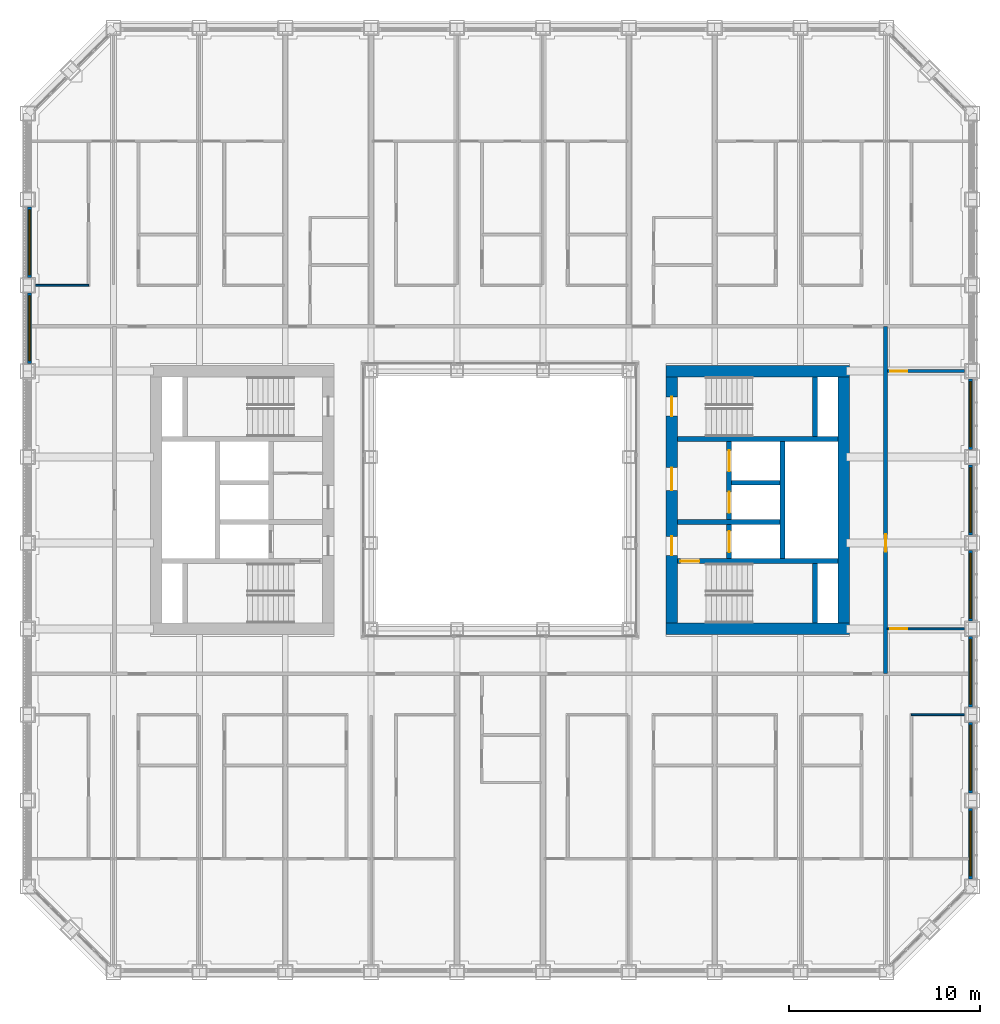
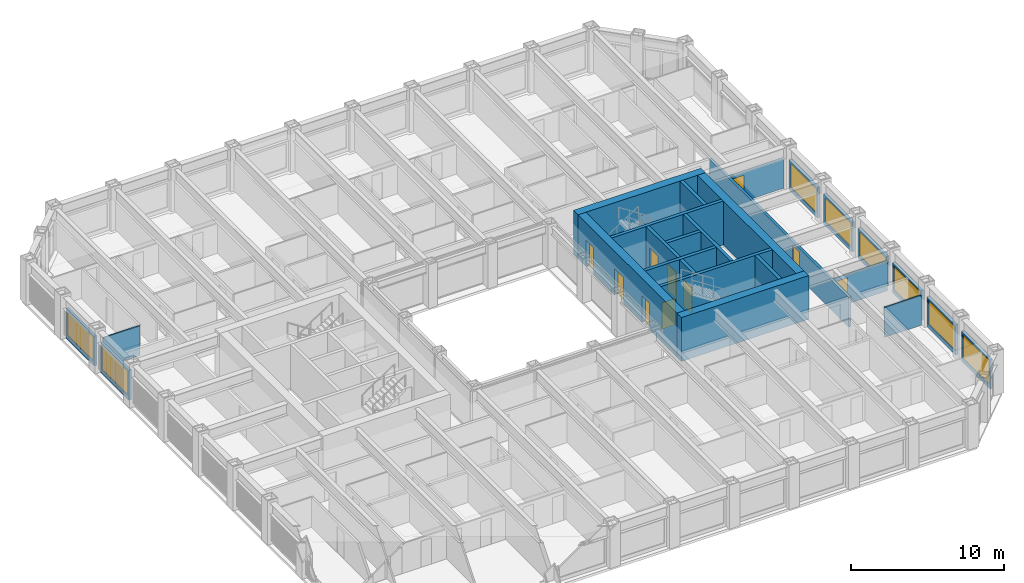
# One storey, part 12 of 20: 25 walls, 10 doors, 8 windows, 18 openings.
"""IFC4 building model written with IfcOpenShell, lengths in metres."""

from ifc_helpers import new_model, si_unit, direction, frame, frame_2d, origin, place, context, subcontext, project, spatial, rectangle, extrude, material, layer, layer_set, type_object, element, fill, save


model = new_model("IFC4")

# Units and contexts
model_context = context("Model", 3, precision=1e-05, world=origin(), true_north=direction((0.0, 1.0)))
body_context = subcontext(model_context, "Body", "Model", "MODEL_VIEW")
ifc_project = project(units=[si_unit("LENGTHUNIT", "METRE"), si_unit("AREAUNIT", "SQUARE_METRE"), si_unit("VOLUMEUNIT", "CUBIC_METRE"), si_unit("PLANEANGLEUNIT", "RADIAN"), si_unit("MASSUNIT", "GRAM", prefix="KILO")], contexts=[model_context])

# Site, building, storey
site_placement = place(None, origin())
site = spatial("IfcSite", under=ifc_project, at=site_placement, CompositionType="ELEMENT")
building_placement = place(site_placement, origin())
building = spatial("IfcBuilding", under=site, at=building_placement, Name="Msasa Ring Tower", CompositionType="ELEMENT")
storey_placement = place(building_placement, frame((0.0, 0.0, 58.0)))
storey = spatial("IfcBuildingStorey", under=building, at=storey_placement, Name="L14", CompositionType="ELEMENT", Elevation=58.0)

# Walls
ifc_material_1 = material(Name="Concrete C60/75", Category="concrete")
ifc_layer_1 = layer(ifc_material_1, 0.60009765625)
ifc_layer_set_1 = layer_set([ifc_layer_1], Name="CW1 CORE WALL 600")
wall_type_1 = type_object("IfcWallType", Name="CW1 CORE WALL 600", PredefinedType="SHEAR", material=ifc_layer_set_1)
for number, where, z_axis, x_axis, name in (
    (1, (8.699951171875, -6.75, 0.0), (0.0, 0.0, 1.0), (1.0, 0.0, 0.0), "E core wall S L14"),
    (2, (8.699951171875, 6.75, 0.0), (0.0, 0.0, 1.0), (1.0, 0.0, 0.0), "E core wall N L14"),
):
    element("IfcWall", number, at=place(storey_placement, frame(where, z_axis=z_axis, x_axis=x_axis)), inside=storey, type_object=wall_type_1, Name=name, PredefinedType="SHEAR", context=body_context, shape_type="SweptSolid", body=[
        extrude(rectangle(XDim=9.60009765625, YDim=0.60009765625, at=frame_2d((4.800048828125, 0.0))), origin(), (0.0, 0.0, 1.0), 3.5),
    ])

# Wall, openings, doors
wall_1_placement = place(storey_placement, frame((9.0, -6.449951171875, 0.0), z_axis=(0.0, 0.0, 1.0), x_axis=(0.0, 1.0, 0.0)))
wall_1 = element("IfcWall", 3, at=wall_1_placement, inside=storey, type_object=wall_type_1, Name="E core wall W L14", PredefinedType="SHEAR", context=body_context, shape_type="SweptSolid", body=[
    extrude(rectangle(XDim=12.89990234375, YDim=0.60009765625, at=frame_2d((6.449951171875, 0.0))), origin(), (0.0, 0.0, 1.0), 3.5),
])
opening_1_placement = place(wall_1_placement, frame((3.550048828125, 0.0, 0.0)))
opening_1 = element("IfcOpeningElement", 4, at=opening_1_placement, cuts=wall_1, Name="Opening RD-043", PredefinedType="OPENING", context=body_context, shape_type="SweptSolid", body=[
    extrude(rectangle(XDim=1.0, YDim=2.10009765625, at=frame_2d((0.5, 1.050048828125))), frame((0.0, 0.31005859375, 0.0), z_axis=(0.0, -1.0, 0.0), x_axis=(1.0, 0.0, 0.0)), (0.0, 0.0, 1.0), 0.6201171875),
])
opening_2_placement = place(wall_1_placement, frame((6.949951171875, 0.0, 0.0)))
opening_2 = element("IfcOpeningElement", 5, at=opening_2_placement, cuts=wall_1, Name="Opening RD-038", PredefinedType="OPENING", context=body_context, shape_type="SweptSolid", body=[
    extrude(rectangle(XDim=1.199951171875, YDim=2.10009765625, at=frame_2d((0.60009765625, 1.050048828125))), frame((0.0, 0.31005859375, 0.0), z_axis=(0.0, -1.0, 0.0), x_axis=(1.0, 0.0, 0.0)), (0.0, 0.0, 1.0), 0.6201171875),
])
opening_3_placement = place(wall_1_placement, frame((10.85009765625, 0.0, 0.0)))
opening_3 = element("IfcOpeningElement", 6, at=opening_3_placement, cuts=wall_1, Name="Opening RD-036", PredefinedType="OPENING", context=body_context, shape_type="SweptSolid", body=[
    extrude(rectangle(XDim=1.0, YDim=2.10009765625, at=frame_2d((0.5, 1.050048828125))), frame((0.0, 0.31005859375, 0.0), z_axis=(0.0, -1.0, 0.0), x_axis=(1.0, 0.0, 0.0)), (0.0, 0.0, 1.0), 0.6201171875),
])
ifc_material_2 = material(Name="Timber door leaf in a steel frame", Category="steel")
door_type_1 = type_object("IfcDoorType", Name="D4 LOBBY DOOR 1000x2100", OperationType="SINGLE_SWING_LEFT", PredefinedType="DOOR", material=ifc_material_2)
door_1_placement = place(opening_1_placement, origin())
door_1 = element("IfcDoor", 7, at=door_1_placement, inside=storey, type_object=door_type_1, Name="Door L14-EFFL", OperationType="SINGLE_SWING_LEFT", OverallHeight=2.10009765625, OverallWidth=1.0, PredefinedType="DOOR", context=body_context, shape_type="SweptSolid", body=[
    extrude(rectangle(XDim=1.0, YDim=2.10009765625, at=frame_2d((0.5, 1.050048828125))), frame((0.0, 0.02490234375, 0.0), z_axis=(0.0, -1.0, 0.0), x_axis=(1.0, 0.0, 0.0)), (0.0, 0.0, 1.0), 0.050048828125),
])
fill(opening_1, door_1)
ifc_material_3 = material(Name="Timber door leaf in a steel frame", Category="steel")
door_type_2 = type_object("IfcDoorType", Name="D5 WIDE LOBBY DOOR 1200x2100", OperationType="SINGLE_SWING_LEFT", PredefinedType="DOOR", material=ifc_material_3)
door_2_placement = place(opening_2_placement, origin())
door_2 = element("IfcDoor", 8, at=door_2_placement, inside=storey, type_object=door_type_2, Name="Door L14-ELL", OperationType="SINGLE_SWING_RIGHT", OverallHeight=2.10009765625, OverallWidth=1.199951171875, PredefinedType="DOOR", context=body_context, shape_type="SweptSolid", body=[
    extrude(rectangle(XDim=1.199951171875, YDim=2.10009765625, at=frame_2d((0.60009765625, 1.050048828125))), frame((0.0, 0.02490234375, 0.0), z_axis=(0.0, -1.0, 0.0), x_axis=(1.0, 0.0, 0.0)), (0.0, 0.0, 1.0), 0.050048828125),
])
fill(opening_2, door_2)
ifc_material_4 = material(Name="Timber door leaf in a steel frame", Category="steel")
door_type_3 = type_object("IfcDoorType", Name="D6 STAIR DOOR 1000x2100", OperationType="SINGLE_SWING_LEFT", PredefinedType="DOOR", material=ifc_material_4)
door_3_placement = place(opening_3_placement, origin())
door_3 = element("IfcDoor", 9, at=door_3_placement, inside=storey, type_object=door_type_3, Name="Door L14-ESTB", OperationType="SINGLE_SWING_RIGHT", OverallHeight=2.10009765625, OverallWidth=1.0, PredefinedType="DOOR", context=body_context, shape_type="SweptSolid", body=[
    extrude(rectangle(XDim=1.0, YDim=2.10009765625, at=frame_2d((0.5, 1.050048828125))), frame((0.0, 0.02490234375, 0.0), z_axis=(0.0, -1.0, 0.0), x_axis=(1.0, 0.0, 0.0)), (0.0, 0.0, 1.0), 0.050048828125),
])
fill(opening_3, door_3)

# Wall
wall_2_placement = place(storey_placement, frame((18.0, -6.449951171875, 0.0), z_axis=(0.0, 0.0, 1.0), x_axis=(0.0, 1.0, 0.0)))
element("IfcWall", 10, at=wall_2_placement, inside=storey, type_object=wall_type_1, Name="E core wall E L14", PredefinedType="SHEAR", context=body_context, shape_type="SweptSolid", body=[
    extrude(rectangle(XDim=12.89990234375, YDim=0.60009765625, at=frame_2d((6.449951171875, 0.0))), origin(), (0.0, 0.0, 1.0), 3.5),
])

# Wall, opening, door
ifc_material_5 = material(Name="Concrete C60/75", Category="concrete")
ifc_layer_2 = layer(ifc_material_5, 0.25)
ifc_layer_set_2 = layer_set([ifc_layer_2], Name="CW4 CORE INNER WALL 250")
wall_type_2 = type_object("IfcWallType", Name="CW4 CORE INNER WALL 250", PredefinedType="SHEAR", material=ifc_layer_set_2)
wall_3_placement = place(storey_placement, frame((9.300048828125, -3.199951171875, 0.0), z_axis=(0.0, 0.0, 1.0), x_axis=(1.0, 0.0, 0.0)))
wall_3 = element("IfcWall", 11, at=wall_3_placement, inside=storey, type_object=wall_type_2, Name="E core wall STAIRA L14", PredefinedType="SHEAR", context=body_context, shape_type="SweptSolid", body=[
    extrude(rectangle(XDim=8.39990234375, YDim=0.25, at=frame_2d((4.199951171875, 0.0))), origin(), (0.0, 0.0, 1.0), 3.5),
])
opening_4_placement = place(wall_3_placement, frame((0.14990234375, 0.0, 0.0)))
opening_4 = element("IfcOpeningElement", 12, at=opening_4_placement, cuts=wall_3, Name="Opening RD-045", PredefinedType="OPENING", context=body_context, shape_type="SweptSolid", body=[
    extrude(rectangle(XDim=1.0, YDim=2.10009765625, at=frame_2d((0.5, 1.050048828125))), frame((0.0, 0.135009765625, 0.0), z_axis=(0.0, -1.0, 0.0), x_axis=(1.0, 0.0, 0.0)), (0.0, 0.0, 1.0), 0.27001953125),
])
door_4_placement = place(opening_4_placement, origin())
door_4 = element("IfcDoor", 13, at=door_4_placement, inside=storey, type_object=door_type_3, Name="Door L14-ESTA", OperationType="SINGLE_SWING_LEFT", OverallHeight=2.10009765625, OverallWidth=1.0, PredefinedType="DOOR", context=body_context, shape_type="SweptSolid", body=[
    extrude(rectangle(XDim=1.0, YDim=2.10009765625, at=frame_2d((0.5, 1.050048828125))), frame((0.0, 0.02490234375, 0.0), z_axis=(0.0, -1.0, 0.0), x_axis=(1.0, 0.0, 0.0)), (0.0, 0.0, 1.0), 0.050048828125),
])
fill(opening_4, door_4)

# Walls
wall_4_placement = place(storey_placement, frame((9.300048828125, 3.199951171875, 0.0), z_axis=(0.0, 0.0, 1.0), x_axis=(1.0, 0.0, 0.0)))
element("IfcWall", 14, at=wall_4_placement, inside=storey, type_object=wall_type_2, Name="E core wall STAIRB L14", PredefinedType="SHEAR", context=body_context, shape_type="SweptSolid", body=[
    extrude(rectangle(XDim=8.39990234375, YDim=0.25, at=frame_2d((4.199951171875, 0.0))), origin(), (0.0, 0.0, 1.0), 3.5),
])
for number, where, z_axis, x_axis, name in (
    (15, (16.5, -6.449951171875, 0.0), (0.0, 0.0, 1.0), (0.0, 1.0, 0.0), "E core wall RISERA L14"),
    (16, (16.5, 3.324951171875, 0.0), (0.0, 0.0, 1.0), (0.0, 1.0, 0.0), "E core wall RISERB L14"),
):
    element("IfcWall", number, at=place(storey_placement, frame(where, z_axis=z_axis, x_axis=x_axis)), inside=storey, type_object=wall_type_2, Name=name, PredefinedType="SHEAR", context=body_context, shape_type="SweptSolid", body=[
        extrude(rectangle(XDim=3.125, YDim=0.25, at=frame_2d((1.5625, 0.0))), origin(), (0.0, 0.0, 1.0), 3.5),
    ])
wall_5_placement = place(storey_placement, frame((9.300048828125, -1.14990234375, 0.0), z_axis=(0.0, 0.0, 1.0), x_axis=(1.0, 0.0, 0.0)))
element("IfcWall", 17, at=wall_5_placement, inside=storey, type_object=wall_type_2, Name="E core wall FFL L14", PredefinedType="SHEAR", context=body_context, shape_type="SweptSolid", body=[
    extrude(rectangle(XDim=5.375, YDim=0.25, at=frame_2d((2.6875, 0.0))), origin(), (0.0, 0.0, 1.0), 3.5),
])

# Wall, openings, doors
wall_6_placement = place(storey_placement, frame((12.0, -3.074951171875, 0.0), z_axis=(0.0, 0.0, 1.0), x_axis=(0.0, 1.0, 0.0)))
wall_6 = element("IfcWall", 18, at=wall_6_placement, inside=storey, type_object=wall_type_2, Name="E core wall LOBBY L14", PredefinedType="SHEAR", context=body_context, shape_type="SweptSolid", body=[
    extrude(rectangle(XDim=6.14990234375, YDim=0.25, at=frame_2d((3.074951171875, 0.0))), origin(), (0.0, 0.0, 1.0), 3.5),
])
opening_5_placement = place(wall_6_placement, frame((0.35009765625, 0.0, 0.0)))
opening_5 = element("IfcOpeningElement", 19, at=opening_5_placement, cuts=wall_6, Name="Opening LD1", PredefinedType="OPENING", context=body_context, shape_type="SweptSolid", body=[
    extrude(rectangle(XDim=1.10009765625, YDim=2.10009765625, at=frame_2d((0.550048828125, 1.050048828125))), frame((0.0, 0.135009765625, 0.0), z_axis=(0.0, -1.0, 0.0), x_axis=(1.0, 0.0, 0.0)), (0.0, 0.0, 1.0), 0.27001953125),
])
opening_6_placement = place(wall_6_placement, frame((2.39990234375, 0.0, 0.0)))
opening_6 = element("IfcOpeningElement", 20, at=opening_6_placement, cuts=wall_6, Name="Opening LD1", PredefinedType="OPENING", context=body_context, shape_type="SweptSolid", body=[
    extrude(rectangle(XDim=1.10009765625, YDim=2.10009765625, at=frame_2d((0.550048828125, 1.050048828125))), frame((0.0, 0.135009765625, 0.0), z_axis=(0.0, -1.0, 0.0), x_axis=(1.0, 0.0, 0.0)), (0.0, 0.0, 1.0), 0.27001953125),
])
opening_7_placement = place(wall_6_placement, frame((4.574951171875, 0.0, 0.0)))
opening_7 = element("IfcOpeningElement", 21, at=opening_7_placement, cuts=wall_6, Name="Opening LD1", PredefinedType="OPENING", context=body_context, shape_type="SweptSolid", body=[
    extrude(rectangle(XDim=1.10009765625, YDim=2.10009765625, at=frame_2d((0.550048828125, 1.050048828125))), frame((0.0, 0.135009765625, 0.0), z_axis=(0.0, -1.0, 0.0), x_axis=(1.0, 0.0, 0.0)), (0.0, 0.0, 1.0), 0.27001953125),
])
ifc_material_6 = material(Name="Stainless steel lift landing door", Category="steel")
door_type_4 = type_object("IfcDoorType", Name="LD1 LIFT LANDING DOOR 1100x2100", OperationType="DOUBLE_DOOR_SLIDING", PredefinedType="DOOR", material=ifc_material_6)
door_5_placement = place(opening_5_placement, origin())
door_5 = element("IfcDoor", 22, at=door_5_placement, inside=storey, type_object=door_type_4, Name="Lift landing door FL-E L14", OperationType="DOUBLE_DOOR_SLIDING", OverallHeight=2.10009765625, OverallWidth=1.10009765625, PredefinedType="DOOR", context=body_context, shape_type="SweptSolid", body=[
    extrude(rectangle(XDim=1.10009765625, YDim=2.10009765625, at=frame_2d((0.550048828125, 1.050048828125))), frame((0.0, 0.02490234375, 0.0), z_axis=(0.0, -1.0, 0.0), x_axis=(1.0, 0.0, 0.0)), (0.0, 0.0, 1.0), 0.050048828125),
])
fill(opening_5, door_5)
door_6_placement = place(opening_6_placement, origin())
door_6 = element("IfcDoor", 23, at=door_6_placement, inside=storey, type_object=door_type_4, Name="Lift landing door PL-R1 L14", OperationType="DOUBLE_DOOR_SLIDING", OverallHeight=2.10009765625, OverallWidth=1.10009765625, PredefinedType="DOOR", context=body_context, shape_type="SweptSolid", body=[
    extrude(rectangle(XDim=1.10009765625, YDim=2.10009765625, at=frame_2d((0.550048828125, 1.050048828125))), frame((0.0, 0.02490234375, 0.0), z_axis=(0.0, -1.0, 0.0), x_axis=(1.0, 0.0, 0.0)), (0.0, 0.0, 1.0), 0.050048828125),
])
fill(opening_6, door_6)
door_7_placement = place(opening_7_placement, origin())
door_7 = element("IfcDoor", 24, at=door_7_placement, inside=storey, type_object=door_type_4, Name="Lift landing door PL-R2 L14", OperationType="DOUBLE_DOOR_SLIDING", OverallHeight=2.10009765625, OverallWidth=1.10009765625, PredefinedType="DOOR", context=body_context, shape_type="SweptSolid", body=[
    extrude(rectangle(XDim=1.10009765625, YDim=2.10009765625, at=frame_2d((0.550048828125, 1.050048828125))), frame((0.0, 0.02490234375, 0.0), z_axis=(0.0, -1.0, 0.0), x_axis=(1.0, 0.0, 0.0)), (0.0, 0.0, 1.0), 0.050048828125),
])
fill(opening_7, door_7)

# Walls
wall_7_placement = place(storey_placement, frame((14.800048828125, -3.074951171875, 0.0), z_axis=(0.0, 0.0, 1.0), x_axis=(0.0, 1.0, 0.0)))
element("IfcWall", 25, at=wall_7_placement, inside=storey, type_object=wall_type_2, Name="E core wall SHAFT L14", PredefinedType="SHEAR", context=body_context, shape_type="SweptSolid", body=[
    extrude(rectangle(XDim=6.14990234375, YDim=0.25, at=frame_2d((3.074951171875, 0.0))), origin(), (0.0, 0.0, 1.0), 3.5),
])
wall_8_placement = place(storey_placement, frame((12.125, 0.89990234375, 0.0), z_axis=(0.0, 0.0, 1.0), x_axis=(1.0, 0.0, 0.0)))
element("IfcWall", 26, at=wall_8_placement, inside=storey, type_object=wall_type_2, Name="E core wall LIFT1 L14", PredefinedType="SHEAR", context=body_context, shape_type="SweptSolid", body=[
    extrude(rectangle(XDim=2.550048828125, YDim=0.25, at=frame_2d((1.27490234375, 0.0))), origin(), (0.0, 0.0, 1.0), 3.5),
])

# Wall, opening, window
ifc_material_7 = material(Name="Terracotta rainscreen on blockwork", Category="masonry")
ifc_layer_3 = layer(ifc_material_7, 0.199951171875)
ifc_layer_set_3 = layer_set([ifc_layer_3], Name="FW1 TERRACOTTA-LINED INFILL BAY WALL 200")
wall_type_3 = type_object("IfcWallType", Name="FW1 TERRACOTTA-LINED INFILL BAY WALL 200", PredefinedType="SOLIDWALL", material=ifc_layer_set_3)
wall_9_placement = place(storey_placement, frame((24.64990234375, -19.844970703125, 0.0), z_axis=(0.0, 0.0, 1.0), x_axis=(0.0, 1.0, 0.0)))
wall_9 = element("IfcWall", 27, at=wall_9_placement, inside=storey, type_object=wall_type_3, Name="Infill bay wall E L14 11", PredefinedType="SOLIDWALL", context=body_context, shape_type="SweptSolid", body=[
    extrude(rectangle(XDim=3.68994140625, YDim=0.199951171875, at=frame_2d((1.844970703125, 0.0))), origin(), (0.0, 0.0, 1.0), 2.37890625),
])
opening_8_placement = place(wall_9_placement, frame((0.14501953125, 0.0, 0.300048828125)))
opening_8 = element("IfcOpeningElement", 28, at=opening_8_placement, cuts=wall_9, Name="Opening WN1", PredefinedType="OPENING", context=body_context, shape_type="SweptSolid", body=[
    extrude(rectangle(XDim=3.39990234375, YDim=1.928955078125, at=frame_2d((1.699951171875, 0.96435546875))), frame((0.0, 0.10986328125, 0.0), z_axis=(0.0, -1.0, 0.0), x_axis=(1.0, 0.0, 0.0)), (0.0, 0.0, 1.0), 0.219970703125),
])
ifc_material_8 = material(Name="Aluminium frame with clear glass", Category="aluminium")
window_type = type_object("IfcWindowType", Name="WN1 RESIDENCE WINDOW 3400x1929", PartitioningType="SINGLE_PANEL", PredefinedType="WINDOW", material=ifc_material_8)
window_1_placement = place(opening_8_placement, origin())
window_1 = element("IfcWindow", 29, at=window_1_placement, inside=storey, type_object=window_type, Name="Window E L14 11", OverallHeight=1.928955078125, OverallWidth=3.39990234375, PartitioningType="SINGLE_PANEL", PredefinedType="WINDOW", context=body_context, shape_type="SweptSolid", body=[
    extrude(rectangle(XDim=3.39990234375, YDim=1.928955078125, at=frame_2d((1.699951171875, 0.96435546875))), frame((0.0, 0.030029296875, 0.0), z_axis=(0.0, -1.0, 0.0), x_axis=(1.0, 0.0, 0.0)), (0.0, 0.0, 1.0), 0.06005859375),
])
fill(opening_8, window_1)

wall_10_placement = place(storey_placement, frame((24.64990234375, -15.344970703125, 0.0), z_axis=(0.0, 0.0, 1.0), x_axis=(0.0, 1.0, 0.0)))
wall_10 = element("IfcWall", 30, at=wall_10_placement, inside=storey, type_object=wall_type_3, Name="Infill bay wall E L14 12", PredefinedType="SOLIDWALL", context=body_context, shape_type="SweptSolid", body=[
    extrude(rectangle(XDim=3.68994140625, YDim=0.199951171875, at=frame_2d((1.844970703125, 0.0))), origin(), (0.0, 0.0, 1.0), 2.37890625),
])
opening_9_placement = place(wall_10_placement, frame((0.14501953125, 0.0, 0.300048828125)))
opening_9 = element("IfcOpeningElement", 31, at=opening_9_placement, cuts=wall_10, Name="Opening WN1", PredefinedType="OPENING", context=body_context, shape_type="SweptSolid", body=[
    extrude(rectangle(XDim=3.39990234375, YDim=1.928955078125, at=frame_2d((1.699951171875, 0.96435546875))), frame((0.0, 0.10986328125, 0.0), z_axis=(0.0, -1.0, 0.0), x_axis=(1.0, 0.0, 0.0)), (0.0, 0.0, 1.0), 0.219970703125),
])
window_2_placement = place(opening_9_placement, origin())
window_2 = element("IfcWindow", 32, at=window_2_placement, inside=storey, type_object=window_type, Name="Window E L14 12", OverallHeight=1.928955078125, OverallWidth=3.39990234375, PartitioningType="SINGLE_PANEL", PredefinedType="WINDOW", context=body_context, shape_type="SweptSolid", body=[
    extrude(rectangle(XDim=3.39990234375, YDim=1.928955078125, at=frame_2d((1.699951171875, 0.96435546875))), frame((0.0, 0.030029296875, 0.0), z_axis=(0.0, -1.0, 0.0), x_axis=(1.0, 0.0, 0.0)), (0.0, 0.0, 1.0), 0.06005859375),
])
fill(opening_9, window_2)

wall_11_placement = place(storey_placement, frame((24.64990234375, -10.844970703125, 0.0), z_axis=(0.0, 0.0, 1.0), x_axis=(0.0, 1.0, 0.0)))
wall_11 = element("IfcWall", 33, at=wall_11_placement, inside=storey, type_object=wall_type_3, Name="Infill bay wall E L14 13", PredefinedType="SOLIDWALL", context=body_context, shape_type="SweptSolid", body=[
    extrude(rectangle(XDim=3.68994140625, YDim=0.199951171875, at=frame_2d((1.844970703125, 0.0))), origin(), (0.0, 0.0, 1.0), 2.37890625),
])
opening_10_placement = place(wall_11_placement, frame((0.14501953125, 0.0, 0.300048828125)))
opening_10 = element("IfcOpeningElement", 34, at=opening_10_placement, cuts=wall_11, Name="Opening WN1", PredefinedType="OPENING", context=body_context, shape_type="SweptSolid", body=[
    extrude(rectangle(XDim=3.39990234375, YDim=1.928955078125, at=frame_2d((1.699951171875, 0.96435546875))), frame((0.0, 0.10986328125, 0.0), z_axis=(0.0, -1.0, 0.0), x_axis=(1.0, 0.0, 0.0)), (0.0, 0.0, 1.0), 0.219970703125),
])
window_3_placement = place(opening_10_placement, origin())
window_3 = element("IfcWindow", 35, at=window_3_placement, inside=storey, type_object=window_type, Name="Window E L14 13", OverallHeight=1.928955078125, OverallWidth=3.39990234375, PartitioningType="SINGLE_PANEL", PredefinedType="WINDOW", context=body_context, shape_type="SweptSolid", body=[
    extrude(rectangle(XDim=3.39990234375, YDim=1.928955078125, at=frame_2d((1.699951171875, 0.96435546875))), frame((0.0, 0.030029296875, 0.0), z_axis=(0.0, -1.0, 0.0), x_axis=(1.0, 0.0, 0.0)), (0.0, 0.0, 1.0), 0.06005859375),
])
fill(opening_10, window_3)

wall_12_placement = place(storey_placement, frame((24.64990234375, -6.344970703125, 0.0), z_axis=(0.0, 0.0, 1.0), x_axis=(0.0, 1.0, 0.0)))
wall_12 = element("IfcWall", 36, at=wall_12_placement, inside=storey, type_object=wall_type_3, Name="Infill bay wall E L14 14", PredefinedType="SOLIDWALL", context=body_context, shape_type="SweptSolid", body=[
    extrude(rectangle(XDim=3.68994140625, YDim=0.199951171875, at=frame_2d((1.844970703125, 0.0))), origin(), (0.0, 0.0, 1.0), 2.37890625),
])
opening_11_placement = place(wall_12_placement, frame((0.14501953125, 0.0, 0.300048828125)))
opening_11 = element("IfcOpeningElement", 37, at=opening_11_placement, cuts=wall_12, Name="Opening WN1", PredefinedType="OPENING", context=body_context, shape_type="SweptSolid", body=[
    extrude(rectangle(XDim=3.39990234375, YDim=1.928955078125, at=frame_2d((1.699951171875, 0.96435546875))), frame((0.0, 0.10986328125, 0.0), z_axis=(0.0, -1.0, 0.0), x_axis=(1.0, 0.0, 0.0)), (0.0, 0.0, 1.0), 0.219970703125),
])
window_4_placement = place(opening_11_placement, origin())
window_4 = element("IfcWindow", 38, at=window_4_placement, inside=storey, type_object=window_type, Name="Window E L14 14", OverallHeight=1.928955078125, OverallWidth=3.39990234375, PartitioningType="SINGLE_PANEL", PredefinedType="WINDOW", context=body_context, shape_type="SweptSolid", body=[
    extrude(rectangle(XDim=3.39990234375, YDim=1.928955078125, at=frame_2d((1.699951171875, 0.96435546875))), frame((0.0, 0.030029296875, 0.0), z_axis=(0.0, -1.0, 0.0), x_axis=(1.0, 0.0, 0.0)), (0.0, 0.0, 1.0), 0.06005859375),
])
fill(opening_11, window_4)

wall_13_placement = place(storey_placement, frame((24.64990234375, -1.844970703125, 0.0), z_axis=(0.0, 0.0, 1.0), x_axis=(0.0, 1.0, 0.0)))
wall_13 = element("IfcWall", 39, at=wall_13_placement, inside=storey, type_object=wall_type_3, Name="Infill bay wall E L14 15", PredefinedType="SOLIDWALL", context=body_context, shape_type="SweptSolid", body=[
    extrude(rectangle(XDim=3.68994140625, YDim=0.199951171875, at=frame_2d((1.844970703125, 0.0))), origin(), (0.0, 0.0, 1.0), 2.37890625),
])
opening_12_placement = place(wall_13_placement, frame((0.14501953125, 0.0, 0.300048828125)))
opening_12 = element("IfcOpeningElement", 40, at=opening_12_placement, cuts=wall_13, Name="Opening WN1", PredefinedType="OPENING", context=body_context, shape_type="SweptSolid", body=[
    extrude(rectangle(XDim=3.39990234375, YDim=1.928955078125, at=frame_2d((1.699951171875, 0.96435546875))), frame((0.0, 0.10986328125, 0.0), z_axis=(0.0, -1.0, 0.0), x_axis=(1.0, 0.0, 0.0)), (0.0, 0.0, 1.0), 0.219970703125),
])
window_5_placement = place(opening_12_placement, origin())
window_5 = element("IfcWindow", 41, at=window_5_placement, inside=storey, type_object=window_type, Name="Window E L14 15", OverallHeight=1.928955078125, OverallWidth=3.39990234375, PartitioningType="SINGLE_PANEL", PredefinedType="WINDOW", context=body_context, shape_type="SweptSolid", body=[
    extrude(rectangle(XDim=3.39990234375, YDim=1.928955078125, at=frame_2d((1.699951171875, 0.96435546875))), frame((0.0, 0.030029296875, 0.0), z_axis=(0.0, -1.0, 0.0), x_axis=(1.0, 0.0, 0.0)), (0.0, 0.0, 1.0), 0.06005859375),
])
fill(opening_12, window_5)

wall_14_placement = place(storey_placement, frame((24.64990234375, 2.655029296875, 0.0), z_axis=(0.0, 0.0, 1.0), x_axis=(0.0, 1.0, 0.0)))
wall_14 = element("IfcWall", 42, at=wall_14_placement, inside=storey, type_object=wall_type_3, Name="Infill bay wall E L14 16", PredefinedType="SOLIDWALL", context=body_context, shape_type="SweptSolid", body=[
    extrude(rectangle(XDim=3.68994140625, YDim=0.199951171875, at=frame_2d((1.844970703125, 0.0))), origin(), (0.0, 0.0, 1.0), 2.37890625),
])
opening_13_placement = place(wall_14_placement, frame((0.14501953125, 0.0, 0.300048828125)))
opening_13 = element("IfcOpeningElement", 43, at=opening_13_placement, cuts=wall_14, Name="Opening WN1", PredefinedType="OPENING", context=body_context, shape_type="SweptSolid", body=[
    extrude(rectangle(XDim=3.39990234375, YDim=1.928955078125, at=frame_2d((1.699951171875, 0.96435546875))), frame((0.0, 0.10986328125, 0.0), z_axis=(0.0, -1.0, 0.0), x_axis=(1.0, 0.0, 0.0)), (0.0, 0.0, 1.0), 0.219970703125),
])
window_6_placement = place(opening_13_placement, origin())
window_6 = element("IfcWindow", 44, at=window_6_placement, inside=storey, type_object=window_type, Name="Window E L14 16", OverallHeight=1.928955078125, OverallWidth=3.39990234375, PartitioningType="SINGLE_PANEL", PredefinedType="WINDOW", context=body_context, shape_type="SweptSolid", body=[
    extrude(rectangle(XDim=3.39990234375, YDim=1.928955078125, at=frame_2d((1.699951171875, 0.96435546875))), frame((0.0, 0.030029296875, 0.0), z_axis=(0.0, -1.0, 0.0), x_axis=(1.0, 0.0, 0.0)), (0.0, 0.0, 1.0), 0.06005859375),
])
fill(opening_13, window_6)

wall_15_placement = place(storey_placement, frame((-24.64990234375, 7.155029296875, 0.0), z_axis=(0.0, 0.0, 1.0), x_axis=(0.0, 1.0, 0.0)))
wall_15 = element("IfcWall", 45, at=wall_15_placement, inside=storey, type_object=wall_type_3, Name="Infill bay wall W L14 39", PredefinedType="SOLIDWALL", context=body_context, shape_type="SweptSolid", body=[
    extrude(rectangle(XDim=3.68994140625, YDim=0.199951171875, at=frame_2d((1.844970703125, 0.0))), origin(), (0.0, 0.0, 1.0), 2.37890625),
])
opening_14_placement = place(wall_15_placement, frame((0.14501953125, 0.0, 0.300048828125)))
opening_14 = element("IfcOpeningElement", 46, at=opening_14_placement, cuts=wall_15, Name="Opening WN1", PredefinedType="OPENING", context=body_context, shape_type="SweptSolid", body=[
    extrude(rectangle(XDim=3.39990234375, YDim=1.928955078125, at=frame_2d((1.699951171875, 0.96435546875))), frame((0.0, 0.10986328125, 0.0), z_axis=(0.0, -1.0, 0.0), x_axis=(1.0, 0.0, 0.0)), (0.0, 0.0, 1.0), 0.219970703125),
])
window_7_placement = place(opening_14_placement, origin())
window_7 = element("IfcWindow", 47, at=window_7_placement, inside=storey, type_object=window_type, Name="Window W L14 39", OverallHeight=1.928955078125, OverallWidth=3.39990234375, PartitioningType="SINGLE_PANEL", PredefinedType="WINDOW", context=body_context, shape_type="SweptSolid", body=[
    extrude(rectangle(XDim=3.39990234375, YDim=1.928955078125, at=frame_2d((1.699951171875, 0.96435546875))), frame((0.0, 0.030029296875, 0.0), z_axis=(0.0, -1.0, 0.0), x_axis=(1.0, 0.0, 0.0)), (0.0, 0.0, 1.0), 0.06005859375),
])
fill(opening_14, window_7)

wall_16_placement = place(storey_placement, frame((-24.64990234375, 11.655029296875, 0.0), z_axis=(0.0, 0.0, 1.0), x_axis=(0.0, 1.0, 0.0)))
wall_16 = element("IfcWall", 48, at=wall_16_placement, inside=storey, type_object=wall_type_3, Name="Infill bay wall W L14 40", PredefinedType="SOLIDWALL", context=body_context, shape_type="SweptSolid", body=[
    extrude(rectangle(XDim=3.68994140625, YDim=0.199951171875, at=frame_2d((1.844970703125, 0.0))), origin(), (0.0, 0.0, 1.0), 2.37890625),
])
opening_15_placement = place(wall_16_placement, frame((0.14501953125, 0.0, 0.300048828125)))
opening_15 = element("IfcOpeningElement", 49, at=opening_15_placement, cuts=wall_16, Name="Opening WN1", PredefinedType="OPENING", context=body_context, shape_type="SweptSolid", body=[
    extrude(rectangle(XDim=3.39990234375, YDim=1.928955078125, at=frame_2d((1.699951171875, 0.96435546875))), frame((0.0, 0.10986328125, 0.0), z_axis=(0.0, -1.0, 0.0), x_axis=(1.0, 0.0, 0.0)), (0.0, 0.0, 1.0), 0.219970703125),
])
window_8_placement = place(opening_15_placement, origin())
window_8 = element("IfcWindow", 50, at=window_8_placement, inside=storey, type_object=window_type, Name="Window W L14 40", OverallHeight=1.928955078125, OverallWidth=3.39990234375, PartitioningType="SINGLE_PANEL", PredefinedType="WINDOW", context=body_context, shape_type="SweptSolid", body=[
    extrude(rectangle(XDim=3.39990234375, YDim=1.928955078125, at=frame_2d((1.699951171875, 0.96435546875))), frame((0.0, 0.030029296875, 0.0), z_axis=(0.0, -1.0, 0.0), x_axis=(1.0, 0.0, 0.0)), (0.0, 0.0, 1.0), 0.06005859375),
])
fill(opening_15, window_8)

# Wall, opening, door
ifc_material_9 = material(Name="Concrete blockwork", Category="masonry")
ifc_layer_4 = layer(ifc_material_9, 0.199951171875)
ifc_layer_set_4 = layer_set([ifc_layer_4], Name="PT1 CORRIDOR WALL 200")
wall_type_4 = type_object("IfcWallType", Name="PT1 CORRIDOR WALL 200", PredefinedType="PARTITIONING", material=ifc_layer_set_4)
wall_17_placement = place(storey_placement, frame((20.199951171875, -9.10009765625, 0.0), z_axis=(0.0, 0.0, 1.0), x_axis=(0.0, 1.0, 0.0)))
wall_17 = element("IfcWall", 51, at=wall_17_placement, inside=storey, type_object=wall_type_4, Name="Corridor wall L14-STRE", PredefinedType="PARTITIONING", context=body_context, shape_type="SweptSolid", body=[
    extrude(rectangle(XDim=18.2001953125, YDim=0.199951171875, at=frame_2d((9.10009765625, 0.0))), origin(), (0.0, 0.0, 1.0), 2.373291015625),
])
opening_16_placement = place(wall_17_placement, frame((6.39990234375, 0.0, 0.0)))
opening_16 = element("IfcOpeningElement", 52, at=opening_16_placement, cuts=wall_17, Name="Opening RD-041", PredefinedType="OPENING", context=body_context, shape_type="SweptSolid", body=[
    extrude(rectangle(XDim=0.89990234375, YDim=2.10009765625, at=frame_2d((0.449951171875, 1.050048828125))), frame((0.0, 0.10986328125, 0.0), z_axis=(0.0, -1.0, 0.0), x_axis=(1.0, 0.0, 0.0)), (0.0, 0.0, 1.0), 0.219970703125),
])
ifc_material_10 = material(Name="Timber door leaf in a steel frame", Category="steel")
door_type_5 = type_object("IfcDoorType", Name="D2 ENTRANCE DOOR 900x2100", OperationType="SINGLE_SWING_LEFT", PredefinedType="DOOR", material=ifc_material_10)
door_8_placement = place(opening_16_placement, origin())
door_8 = element("IfcDoor", 53, at=door_8_placement, inside=storey, type_object=door_type_5, Name="Door L14-STE", OperationType="SINGLE_SWING_LEFT", OverallHeight=2.10009765625, OverallWidth=0.89990234375, PredefinedType="DOOR", context=body_context, shape_type="SweptSolid", body=[
    extrude(rectangle(XDim=0.89990234375, YDim=2.10009765625, at=frame_2d((0.449951171875, 1.050048828125))), frame((0.0, 0.02490234375, 0.0), z_axis=(0.0, -1.0, 0.0), x_axis=(1.0, 0.0, 0.0)), (0.0, 0.0, 1.0), 0.050048828125),
])
fill(opening_16, door_8)

# Walls
ifc_material_11 = material(Name="Gypsum board on steel studs", Category="steel")
ifc_layer_5 = layer(ifc_material_11, 0.10009765625)
ifc_layer_set_5 = layer_set([ifc_layer_5], Name="PT2 STUD PARTITION 100")
wall_type_5 = type_object("IfcWallType", Name="PT2 STUD PARTITION 100", PredefinedType="PARTITIONING", material=ifc_layer_set_5)
for number, where, z_axis, x_axis, name in (
    (54, (-24.35009765625, 11.25, 0.0), (0.0, 0.0, 1.0), (1.0, 0.0, 0.0), "Partition L14-UN00HY0"),
    (55, (21.550048828125, -11.25, 0.0), (0.0, 0.0, 1.0), (1.0, 0.0, 0.0), "Partition L14-US04HY0"),
):
    element("IfcWall", number, at=place(storey_placement, frame(where, z_axis=z_axis, x_axis=x_axis)), inside=storey, type_object=wall_type_5, Name=name, PredefinedType="PARTITIONING", context=body_context, shape_type="SweptSolid", body=[
        extrude(rectangle(XDim=2.800048828125, YDim=0.10009765625, at=frame_2d((1.39990234375, 0.0))), origin(), (0.0, 0.0, 1.0), 2.373291015625),
    ])

# Wall, opening, door
wall_18_placement = place(storey_placement, frame((20.300048828125, -6.75, 0.0), z_axis=(0.0, 0.0, 1.0), x_axis=(1.0, 0.0, 0.0)))
wall_18 = element("IfcWall", 56, at=wall_18_placement, inside=storey, type_object=wall_type_5, Name="Partition L14-STEKY", PredefinedType="PARTITIONING", context=body_context, shape_type="SweptSolid", body=[
    extrude(rectangle(XDim=4.050048828125, YDim=0.10009765625, at=frame_2d((2.02490234375, 0.0))), origin(), (0.0, 0.0, 1.0), 2.373291015625),
])
opening_17_placement = place(wall_18_placement, frame((0.14990234375, 0.0, 0.0)))
opening_17 = element("IfcOpeningElement", 57, at=opening_17_placement, cuts=wall_18, Name="Opening RD-046", PredefinedType="OPENING", context=body_context, shape_type="SweptSolid", body=[
    extrude(rectangle(XDim=0.89990234375, YDim=2.10009765625, at=frame_2d((0.449951171875, 1.050048828125))), frame((0.0, 0.06005859375, 0.0), z_axis=(0.0, -1.0, 0.0), x_axis=(1.0, 0.0, 0.0)), (0.0, 0.0, 1.0), 0.1201171875),
])
ifc_material_12 = material(Name="Timber door leaf in a steel frame", Category="steel")
door_type_6 = type_object("IfcDoorType", Name="D22 INTERNAL HALL DOOR 900x2100", OperationType="SINGLE_SWING_LEFT", PredefinedType="DOOR", material=ifc_material_12)
door_9_placement = place(opening_17_placement, origin())
door_9 = element("IfcDoor", 58, at=door_9_placement, inside=storey, type_object=door_type_6, Name="Door L14-STEK", OperationType="SINGLE_SWING_LEFT", OverallHeight=2.10009765625, OverallWidth=0.89990234375, PredefinedType="DOOR", context=body_context, shape_type="SweptSolid", body=[
    extrude(rectangle(XDim=0.89990234375, YDim=2.10009765625, at=frame_2d((0.449951171875, 1.050048828125))), frame((0.0, 0.02490234375, 0.0), z_axis=(0.0, -1.0, 0.0), x_axis=(1.0, 0.0, 0.0)), (0.0, 0.0, 1.0), 0.050048828125),
])
fill(opening_17, door_9)

ifc_material_13 = material(Name="Moisture-resistant board on steel studs with a concealed cistern and pipe void, tiled", Category="steel")
ifc_layer_6 = layer(ifc_material_13, 0.14990234375)
ifc_layer_set_6 = layer_set([ifc_layer_6], Name="PT4 BATHROOM WET WALL 150")
wall_type_6 = type_object("IfcWallType", Name="PT4 BATHROOM WET WALL 150", PredefinedType="PARTITIONING", material=ifc_layer_set_6)
wall_19_placement = place(storey_placement, frame((20.300048828125, 6.75, 0.0), z_axis=(0.0, 0.0, 1.0), x_axis=(1.0, 0.0, 0.0)))
wall_19 = element("IfcWall", 59, at=wall_19_placement, inside=storey, type_object=wall_type_6, Name="Partition L14-STEBY", PredefinedType="PARTITIONING", context=body_context, shape_type="SweptSolid", body=[
    extrude(rectangle(XDim=4.050048828125, YDim=0.14990234375, at=frame_2d((2.02490234375, 0.0))), origin(), (0.0, 0.0, 1.0), 2.373291015625),
])
opening_18_placement = place(wall_19_placement, frame((0.14990234375, 0.0, 0.0)))
opening_18 = element("IfcOpeningElement", 60, at=opening_18_placement, cuts=wall_19, Name="Opening RD-034", PredefinedType="OPENING", context=body_context, shape_type="SweptSolid", body=[
    extrude(rectangle(XDim=0.89990234375, YDim=2.10009765625, at=frame_2d((0.449951171875, 1.050048828125))), frame((0.0, 0.0849609375, 0.0), z_axis=(0.0, -1.0, 0.0), x_axis=(1.0, 0.0, 0.0)), (0.0, 0.0, 1.0), 0.169921875),
])
ifc_material_14 = material(Name="Timber door leaf in a steel frame", Category="steel")
door_type_7 = type_object("IfcDoorType", Name="D3 BATHROOM DOOR 900x2100", OperationType="SINGLE_SWING_LEFT", PredefinedType="DOOR", material=ifc_material_14)
door_10_placement = place(opening_18_placement, origin())
door_10 = element("IfcDoor", 61, at=door_10_placement, inside=storey, type_object=door_type_7, Name="Door L14-STEB", OperationType="SINGLE_SWING_LEFT", OverallHeight=2.10009765625, OverallWidth=0.89990234375, PredefinedType="DOOR", context=body_context, shape_type="SweptSolid", body=[
    extrude(rectangle(XDim=0.89990234375, YDim=2.10009765625, at=frame_2d((0.449951171875, 1.050048828125))), frame((0.0, 0.02490234375, 0.0), z_axis=(0.0, -1.0, 0.0), x_axis=(1.0, 0.0, 0.0)), (0.0, 0.0, 1.0), 0.050048828125),
])
fill(opening_18, door_10)

save(model, "model.ifc")
